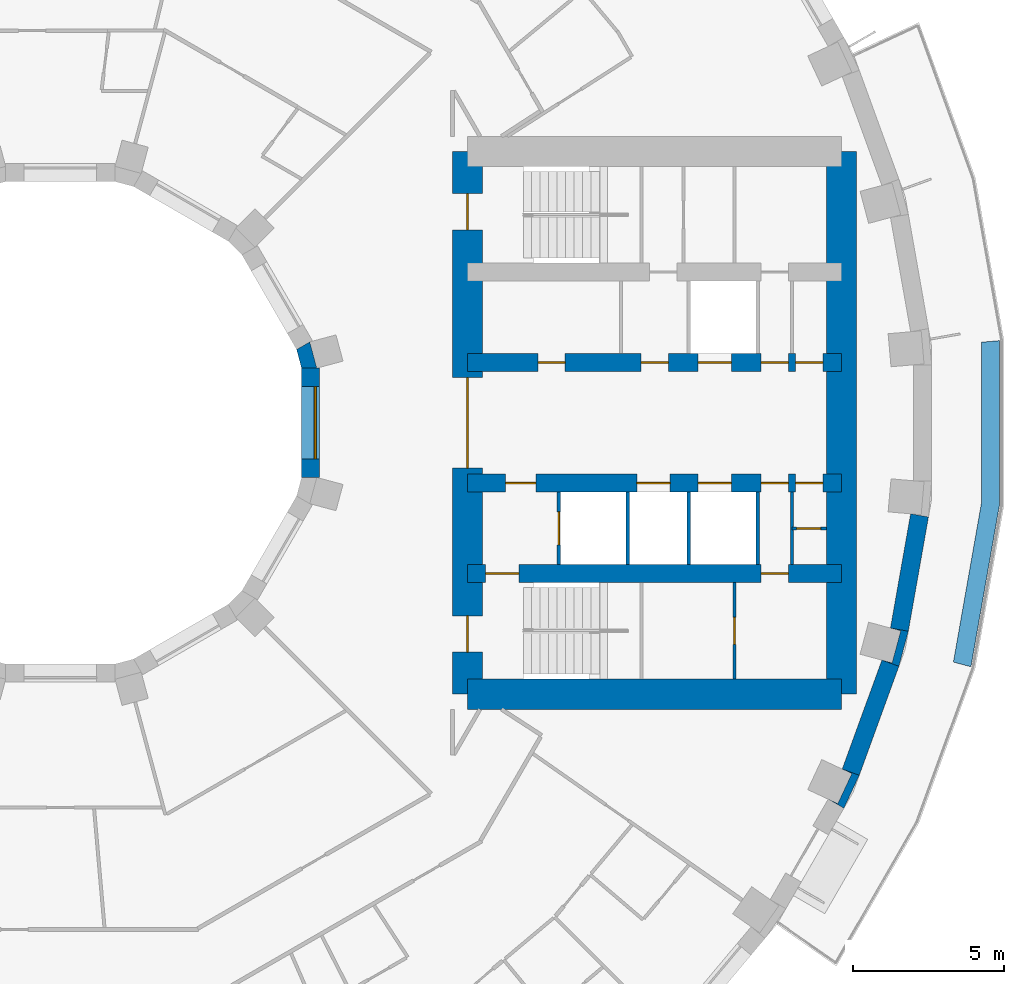
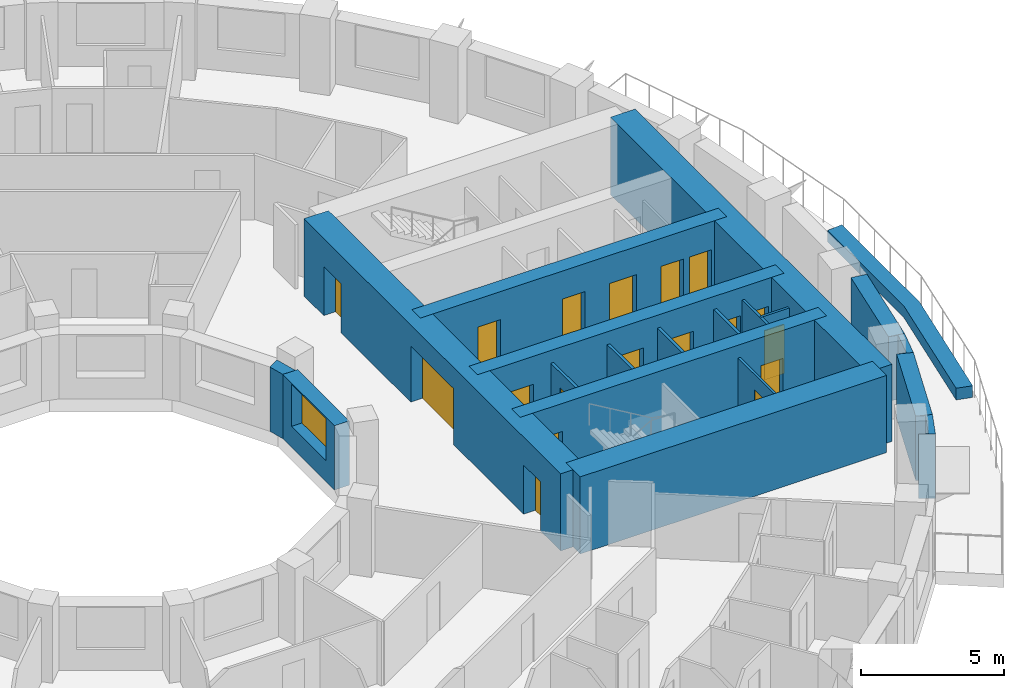
# One storey, part 7 of 14: 20 walls, 18 doors, 1 window, 19 openings.
"""IFC4 building model written with IfcOpenShell, lengths in metres."""

import ifcopenshell
import ifcopenshell.guid

model = None  # the IFC model being written
_history = None  # IfcOwnerHistory: only IFC2X3 demands one
_inside = {}  # id of a spatial element -> (the spatial element, [elements in it])
_under = {}  # id of a project, library or spatial element -> (it, [spatial elements below it])
_declared = {}  # id of a project -> (the project, [libraries it declares])
_typed = {}  # id of a type object -> (the type object, [elements of that type])
_made_of = {}  # id of a material, layer set ... -> (it, [elements and type objects made of it])


def new_model(schema):
    """Start an empty IFC model of exactly this schema.

    Asked for "IFC4X3", IfcOpenShell would pick the latest addendum, in which some entities
    have other attributes; the version numbers below select the first issue.
    IFC2X3 requires an IfcOwnerHistory on every rooted entity: one is made here for all.
    """
    global model, _history
    if schema == "IFC4X3":
        model = ifcopenshell.file(schema_version=(4, 3, 0, 0))
    else:
        model = ifcopenshell.file(schema=schema)
    _inside.clear()
    _under.clear()
    _declared.clear()
    _typed.clear()
    _made_of.clear()
    _history = None
    if model.schema == "IFC2X3":
        org = make("IfcOrganization", Name="unknown")
        user = make(
            "IfcPersonAndOrganization",
            ThePerson=make("IfcPerson", FamilyName="unknown"),
            TheOrganization=org,
        )
        app = make(
            "IfcApplication",
            ApplicationDeveloper=org,
            Version="unknown",
            ApplicationFullName="unknown",
            ApplicationIdentifier="unknown",
        )
        _history = make(
            "IfcOwnerHistory",
            OwningUser=user,
            OwningApplication=app,
            ChangeAction="ADDED",
            CreationDate=0,
        )
    return model


def make(cls, **values):
    """One entity of the class cls with the attributes given. An attribute that is None is left unset."""
    return model.create_entity(
        cls, **{name: value for name, value in values.items() if value is not None}
    )


def rooted(cls, **values):
    """An entity with a GlobalId (a new one), such as an element, a storey or a relation."""
    return make(cls, GlobalId=ifcopenshell.guid.new(), OwnerHistory=_history, **values)


def si_unit(unit_type, name, prefix=None):
    """IfcSIUnit, for example si_unit("LENGTHUNIT", "METRE", prefix="MILLI")."""
    return make("IfcSIUnit", UnitType=unit_type, Prefix=prefix, Name=name)


def assignment(units):
    """IfcUnitAssignment: the units of a project."""
    return None if units is None else make("IfcUnitAssignment", Units=units)


def point(xyz):
    """IfcCartesianPoint."""
    return None if xyz is None else make("IfcCartesianPoint", Coordinates=xyz)


def direction(xyz):
    """IfcDirection."""
    return None if xyz is None else make("IfcDirection", DirectionRatios=xyz)


def frame(location, z_axis=None, x_axis=None):
    """IfcAxis2Placement3D, a coordinate frame: its origin and axes. An axis left out is left unset."""
    return make(
        "IfcAxis2Placement3D",
        Location=point(location),
        Axis=direction(z_axis),
        RefDirection=direction(x_axis),
    )


def frame_2d(location, x_axis=None):
    """IfcAxis2Placement2D, a coordinate frame in the plane: its origin and x axis."""
    return make(
        "IfcAxis2Placement2D", Location=point(location), RefDirection=direction(x_axis)
    )


def origin():
    """The frame at (0, 0, 0) with its axes left unset."""
    return frame((0.0, 0.0, 0.0))


def place(relative_to, where):
    """IfcLocalPlacement: puts the frame where relative to a parent placement (None: the world)."""
    return make(
        "IfcLocalPlacement", PlacementRelTo=relative_to, RelativePlacement=where
    )


def context(
    kind, dimensions, precision=None, world=None, true_north=None, identifier=None
):
    """IfcGeometricRepresentationContext, for example the 3D "Model" context."""
    return make(
        "IfcGeometricRepresentationContext",
        ContextIdentifier=identifier,
        ContextType=kind,
        CoordinateSpaceDimension=dimensions,
        Precision=precision,
        WorldCoordinateSystem=world,
        TrueNorth=true_north,
    )


def subcontext(parent, identifier, kind, view, scale=None):
    """IfcGeometricRepresentationSubContext, for example "Body" below "Model"."""
    return make(
        "IfcGeometricRepresentationSubContext",
        ContextIdentifier=identifier,
        ContextType=kind,
        ParentContext=parent,
        TargetScale=scale,
        TargetView=view,
    )


def project(units=None, contexts=None):
    """IfcProject with its units and contexts."""
    return rooted(
        "IfcProject",
        Name="project",
        RepresentationContexts=contexts,
        UnitsInContext=assignment(units),
    )


def spatial(cls, under=None, at=None, **own):
    """A site, building, storey or space (cls), placed at a placement, below another one or the project."""
    s = rooted(cls, ObjectPlacement=at, **own)
    if under is not None:
        _under.setdefault(under.id(), (under, []))[1].append(s)
    return s


def polyline(points):
    """IfcPolyline through the points."""
    return make("IfcPolyline", Points=[point(p) for p in points])


def profile(cls, at=None, kind="AREA", **sizes):
    """A parametric profile (cls). Its sizes go by their IFC names, for example OverallWidth=200.0."""
    return make(cls, ProfileType=kind, Position=at, **sizes)


def rectangle(**sizes):
    """IfcRectangleProfileDef."""
    return profile("IfcRectangleProfileDef", **sizes)


def outline(outer, holes=None, kind="AREA"):
    """IfcArbitraryClosedProfileDef: a profile drawn as a closed curve; with holes, ...WithVoids."""
    if holes is None:
        return make("IfcArbitraryClosedProfileDef", ProfileType=kind, OuterCurve=outer)
    return make(
        "IfcArbitraryProfileDefWithVoids",
        ProfileType=kind,
        OuterCurve=outer,
        InnerCurves=holes,
    )


def extrude(swept, where, along, depth):
    """IfcExtrudedAreaSolid: the profile swept, set in the frame where, extruded along a direction by depth."""
    return make(
        "IfcExtrudedAreaSolid",
        SweptArea=swept,
        Position=where,
        ExtrudedDirection=direction(along),
        Depth=depth,
    )


def shape(context_of_items, identifier, shape_type, items):
    """IfcShapeRepresentation: the items that make up one representation, for example the "Body"."""
    return make(
        "IfcShapeRepresentation",
        ContextOfItems=context_of_items,
        RepresentationIdentifier=identifier,
        RepresentationType=shape_type,
        Items=items,
    )


def material(Name=None, Category=None):
    """IfcMaterial."""
    return make("IfcMaterial", Name=Name, Category=Category)


def layer(
    of_material, thickness, ventilated=None, Name=None, Category=None, Priority=None
):
    """IfcMaterialLayer: one layer of a wall or slab, of a material (None: an air gap)."""
    return make(
        "IfcMaterialLayer",
        Material=of_material,
        LayerThickness=thickness,
        IsVentilated=ventilated,
        Name=Name,
        Category=Category,
        Priority=Priority,
    )


def layer_set(layers, Name=None):
    """IfcMaterialLayerSet."""
    return make("IfcMaterialLayerSet", MaterialLayers=layers, LayerSetName=Name)


def made_of(thing, what):
    """Note that an element or type object is made of a material, layer set ...; save() writes the relation."""
    if what is not None:
        _made_of.setdefault(what.id(), (what, []))[1].append(thing)
    return thing


def type_object(cls, material=None, **own):
    """A type object (cls), such as IfcWallType, which elements share."""
    return made_of(rooted(cls, **own), material)


def element(
    cls,
    number,
    at=None,
    inside=None,
    cuts=None,
    type_object=None,
    material=None,
    context=None,
    identifier="Body",
    shape_type=None,
    held_by="IfcProductDefinitionShape",
    body=None,
    shapes=None,
    **own,
):
    """One element of the class cls, such as IfcWall. Its Tag is "e" and its number.

    at: its placement. inside: the storey or other place that contains it. cuts: it is an
    opening in that element (IfcRelVoidsElement). A single representation is given by context,
    identifier, shape_type and body (its items); several are given by shapes. held_by: the class
    of the entity that holds the representations. save() writes the other relations.
    """
    e = rooted(cls, Tag="e%d" % number, ObjectPlacement=at, **own)
    if body is not None:
        shapes = [shape(context, identifier, shape_type, body)]
    if shapes is not None:
        e.Representation = make(held_by, Representations=shapes)
    if inside is not None:
        _inside.setdefault(inside.id(), (inside, []))[1].append(e)
    if cuts is not None:
        rooted(
            "IfcRelVoidsElement", RelatingBuildingElement=cuts, RelatedOpeningElement=e
        )
    if type_object is not None:
        _typed.setdefault(type_object.id(), (type_object, []))[1].append(e)
    return made_of(e, material)


def fill(opening, filler):
    """IfcRelFillsElement: the door or window that sits in an opening."""
    return rooted(
        "IfcRelFillsElement",
        RelatingOpeningElement=opening,
        RelatedBuildingElement=filler,
    )


def aggregate(whole, parts):
    """IfcRelAggregates: a whole, such as a stair, and the parts it consists of."""
    return rooted("IfcRelAggregates", RelatingObject=whole, RelatedObjects=parts)


def save(model, path):
    """Write the relations noted so far, then the file.

    IfcRelAggregates (storeys below a building ...), IfcRelContainedInSpatialStructure (elements
    in a storey), IfcRelDefinesByType, IfcRelAssociatesMaterial and IfcRelDeclares: one each for
    every whole, place, type object, material and project.
    """
    for whole, parts in _under.values():
        aggregate(whole, parts)
    for where, things in _inside.values():
        rooted(
            "IfcRelContainedInSpatialStructure",
            RelatedElements=things,
            RelatingStructure=where,
        )
    for kind, things in _typed.values():
        rooted("IfcRelDefinesByType", RelatedObjects=things, RelatingType=kind)
    for what, things in _made_of.values():
        rooted("IfcRelAssociatesMaterial", RelatedObjects=things, RelatingMaterial=what)
    for by, libraries in _declared.values():
        rooted("IfcRelDeclares", RelatingContext=by, RelatedDefinitions=libraries)
    model.write(path)


model = new_model("IFC4")

# Units and contexts
model_context = context("Model", 3, precision=1e-05, world=origin(), true_north=direction((0.0, 1.0)))
body_context = subcontext(model_context, "Body", "Model", "MODEL_VIEW")
ifc_project = project(units=[si_unit("LENGTHUNIT", "METRE"), si_unit("AREAUNIT", "SQUARE_METRE"), si_unit("VOLUMEUNIT", "CUBIC_METRE"), si_unit("PLANEANGLEUNIT", "RADIAN"), si_unit("MASSUNIT", "GRAM", prefix="KILO")], contexts=[model_context])

# Site, building, storey
site_placement = place(None, origin())
site = spatial("IfcSite", under=ifc_project, at=site_placement, CompositionType="ELEMENT")
building_placement = place(site_placement, origin())
building = spatial("IfcBuilding", under=site, at=building_placement, Name="Saqina Gate Tower", CompositionType="ELEMENT")
storey_placement = place(building_placement, frame((0.0, 0.0, 52.699951171875)))
storey = spatial("IfcBuildingStorey", under=building, at=storey_placement, Name="L14", CompositionType="ELEMENT", Elevation=52.699951171875)

# Walls
ifc_material_1 = material(Name="Brick masonry (red)", Category="masonry")
wall_type_1 = type_object("IfcWallType", Name="BRICK PIER COPING RED", PredefinedType="SOLIDWALL", material=ifc_material_1)
wall_1_placement = place(storey_placement, origin())
element("IfcWall", 1, at=wall_1_placement, inside=storey, type_object=wall_type_1, Name="Pier cap L14 column 34", PredefinedType="SOLIDWALL", context=body_context, shape_type="SweptSolid", body=[
    extrude(outline(polyline([(26.48974609375, -11.687744140625), (25.92578125, -11.482666015625), (26.243408203125, -11.630615234375), (25.778564453125, -12.627685546875), (25.4609375, -12.4794921875), (25.980712890625, -12.779541015625), (26.48974609375, -11.687744140625)])), origin(), (0.0, 0.0, 1.0), 2.75),
])
wall_2_placement = place(storey_placement, origin())
element("IfcWall", 2, at=wall_2_placement, inside=storey, type_object=wall_type_1, Name="Pier cap L14 column 35", PredefinedType="SOLIDWALL", context=body_context, shape_type="SweptSolid", body=[
    extrude(outline(polyline([(28.11669921875, -6.910400390625), (27.52587890625, -6.80615234375), (27.864501953125, -6.896728515625), (27.57958984375, -7.95947265625), (27.2412109375, -7.86865234375), (27.80517578125, -8.073974609375), (28.11669921875, -6.910400390625)])), origin(), (0.0, 0.0, 1.0), 2.75),
])
ifc_material_2 = material(Name="Gypsum board on steel studs", Category="steel")
ifc_layer_1 = layer(ifc_material_2, 0.10009765625)
ifc_layer_set_1 = layer_set([ifc_layer_1], Name="CORE PARTITION")
wall_type_2 = type_object("IfcWallType", Name="CORE PARTITION", PredefinedType="PARTITIONING", material=ifc_layer_set_1)
wall_3_placement = place(storey_placement, frame((24.260009765625, -4.699951171875, 0.0), z_axis=(0.0, 0.0, 1.0), x_axis=(0.0, 1.0, 0.0)))
element("IfcWall", 3, at=wall_3_placement, inside=storey, type_object=wall_type_2, Name="L14-CP-E09", PredefinedType="PARTITIONING", context=body_context, shape_type="SweptSolid", body=[
    extrude(rectangle(XDim=2.39990234375, YDim=0.10009765625, at=frame_2d((1.199951171875, 0.0))), origin(), (0.0, 0.0, 1.0), 2.75),
])

# Wall, opening, door
wall_4_placement = place(storey_placement, frame((24.260009765625, -3.5, 0.0), z_axis=(0.0, 0.0, 1.0), x_axis=(1.0, 0.0, 0.0)))
wall_4 = element("IfcWall", 4, at=wall_4_placement, inside=storey, type_object=wall_type_2, Name="L14-CP-E10", PredefinedType="PARTITIONING", context=body_context, shape_type="SweptSolid", body=[
    extrude(rectangle(XDim=1.139892578125, YDim=0.10009765625, at=frame_2d((0.56982421875, 0.0))), origin(), (0.0, 0.0, 1.0), 2.75),
])
opening_1_placement = place(wall_4_placement, frame((0.14990234375, 0.0, 0.0)))
opening_1 = element("IfcOpeningElement", 5, at=opening_1_placement, cuts=wall_4, Name="Opening G03-D100", PredefinedType="OPENING", context=body_context, shape_type="SweptSolid", body=[
    extrude(rectangle(XDim=0.800048828125, YDim=2.10009765625, at=frame_2d((0.39990234375, 1.050048828125))), frame((0.0, 0.06201171875, 0.0), z_axis=(0.0, -1.0, 0.0), x_axis=(1.0, 0.0, 0.0)), (0.0, 0.0, 1.0), 0.1240234375),
])
ifc_material_3 = material(Name="Steel-framed fire door leaf, EI 60", Category="steel")
door_type_1 = type_object("IfcDoorType", Name="SERVICE ROOM DOOR 800", OperationType="SINGLE_SWING_LEFT", PredefinedType="DOOR", material=ifc_material_3)
door_1_placement = place(opening_1_placement, frame((0.800048828125, 0.0, 0.0), z_axis=(0.0, 0.0, 1.0), x_axis=(-1.0, 0.0, 0.0)))
door_1 = element("IfcDoor", 6, at=door_1_placement, inside=storey, type_object=door_type_1, Name="L14-CD-E11", OperationType="SINGLE_SWING_LEFT", OverallHeight=2.10009765625, OverallWidth=0.800048828125, PredefinedType="DOOR", context=body_context, shape_type="SweptSolid", body=[
    extrude(rectangle(XDim=0.800048828125, YDim=2.10009765625, at=frame_2d((0.39990234375, 1.050048828125))), frame((0.0, 0.02490234375, 0.0), z_axis=(0.0, -1.0, 0.0), x_axis=(1.0, 0.0, 0.0)), (0.0, 0.0, 1.0), 0.050048828125),
])
fill(opening_1, door_1)

wall_5_placement = place(storey_placement, frame((22.360107421875, -8.5, 0.0), z_axis=(0.0, 0.0, 1.0), x_axis=(0.0, 1.0, 0.0)))
wall_5 = element("IfcWall", 7, at=wall_5_placement, inside=storey, type_object=wall_type_2, Name="L14-CP-E15", PredefinedType="PARTITIONING", context=body_context, shape_type="SweptSolid", body=[
    extrude(rectangle(XDim=3.199951171875, YDim=0.10009765625, at=frame_2d((1.60009765625, 0.0))), origin(), (0.0, 0.0, 1.0), 2.75),
])
opening_2_placement = place(wall_5_placement, frame((1.14990234375, 0.0, 0.0)))
opening_2 = element("IfcOpeningElement", 8, at=opening_2_placement, cuts=wall_5, Name="Opening G03-D101", PredefinedType="OPENING", context=body_context, shape_type="SweptSolid", body=[
    extrude(rectangle(XDim=0.89990234375, YDim=2.10009765625, at=frame_2d((0.449951171875, 1.050048828125))), frame((0.0, 0.06201171875, 0.0), z_axis=(0.0, -1.0, 0.0), x_axis=(1.0, 0.0, 0.0)), (0.0, 0.0, 1.0), 0.1240234375),
])
ifc_material_4 = material(Name="Steel-framed fire door leaf, EI 60", Category="steel")
door_type_2 = type_object("IfcDoorType", Name="SERVICE ROOM DOOR 900", OperationType="SINGLE_SWING_LEFT", PredefinedType="DOOR", material=ifc_material_4)
door_2_placement = place(opening_2_placement, origin())
door_2 = element("IfcDoor", 9, at=door_2_placement, inside=storey, type_object=door_type_2, Name="L14-CD-E12", OperationType="SINGLE_SWING_LEFT", OverallHeight=2.10009765625, OverallWidth=0.89990234375, PredefinedType="DOOR", context=body_context, shape_type="SweptSolid", body=[
    extrude(rectangle(XDim=0.89990234375, YDim=2.10009765625, at=frame_2d((0.449951171875, 1.050048828125))), frame((0.0, 0.02490234375, 0.0), z_axis=(0.0, -1.0, 0.0), x_axis=(1.0, 0.0, 0.0)), (0.0, 0.0, 1.0), 0.050048828125),
])
fill(opening_2, door_2)

# Walls
ifc_material_5 = material(Name="Glazed ceramic tile", Category="ceramic")
ifc_layer_2 = layer(ifc_material_5, 0.60009765625)
ifc_layer_set_2 = layer_set([ifc_layer_2], Name="FW-TILE")
wall_type_3 = type_object("IfcWallType", Name="FW-TILE", PredefinedType="SOLIDWALL", material=ifc_layer_set_2)
wall_6_placement = place(storey_placement, frame((27.8212890625, -6.858154296875, 0.0), z_axis=(0.0, 0.0, 1.0), x_axis=(0.173687553279, 0.984800809218, 0.0)))
element("IfcWall", 10, at=wall_6_placement, inside=storey, type_object=wall_type_3, Name="Facade wall L14 facet 35", PredefinedType="SOLIDWALL", context=body_context, shape_type="SweptSolid", body=[
    extrude(rectangle(XDim=3.845703125, YDim=0.60009765625, at=frame_2d((1.9228515625, 0.0))), origin(), (0.0, 0.0, 1.0), 2.75),
])
ifc_material_6 = material(Name="Glazed ceramic tile (white)", Category="ceramic")
ifc_layer_3 = layer(ifc_material_6, 0.60009765625)
ifc_layer_set_3 = layer_set([ifc_layer_3], Name="FW-TILE-WH")
wall_type_4 = type_object("IfcWallType", Name="FW-TILE-WH", PredefinedType="SOLIDWALL", material=ifc_layer_set_3)
wall_7_placement = place(storey_placement, frame((26.207763671875, -11.585205078125, 0.0), z_axis=(0.0, 0.0, 1.0), x_axis=(0.342028474173, 0.939689588564, 0.0)))
element("IfcWall", 11, at=wall_7_placement, inside=storey, type_object=wall_type_4, Name="Facade wall L14 facet 34", PredefinedType="SOLIDWALL", context=body_context, shape_type="SweptSolid", body=[
    extrude(rectangle(XDim=3.845947265625, YDim=0.60009765625, at=frame_2d((1.9228515625, 0.0))), origin(), (0.0, 0.0, 1.0), 2.75),
])

# Wall, opening, window
ifc_material_7 = material(Name="Glazed ceramic tile", Category="ceramic")
ifc_layer_4 = layer(ifc_material_7, 0.60009765625)
ifc_layer_set_4 = layer_set([ifc_layer_4], Name="IW-TILE")
wall_type_5 = type_object("IfcWallType", Name="IW-TILE", PredefinedType="SOLIDWALL", material=ifc_layer_set_4)
wall_8_placement = place(storey_placement, frame((8.300048828125, -1.8125, 0.0), z_axis=(0.0, 0.0, 1.0), x_axis=(0.0, 1.0, 0.0)))
wall_8 = element("IfcWall", 12, at=wall_8_placement, inside=storey, type_object=wall_type_5, Name="Well wall L14 facet 12", PredefinedType="SOLIDWALL", context=body_context, shape_type="SweptSolid", body=[
    extrude(rectangle(XDim=3.625, YDim=0.60009765625, at=frame_2d((1.8125, 0.0))), origin(), (0.0, 0.0, 1.0), 2.75),
])
opening_3_placement = place(wall_8_placement, frame((0.612548828125, 0.0, 0.89990234375)))
opening_3 = element("IfcOpeningElement", 13, at=opening_3_placement, cuts=wall_8, Name="Opening G03-W37", PredefinedType="OPENING", context=body_context, shape_type="SweptSolid", body=[
    extrude(rectangle(XDim=2.39990234375, YDim=1.800048828125, at=frame_2d((1.199951171875, 0.89990234375))), frame((0.0, 0.31201171875, 0.0), z_axis=(0.0, -1.0, 0.0), x_axis=(1.0, 0.0, 0.0)), (0.0, 0.0, 1.0), 0.6240234375),
])
ifc_material_8 = material(Name="Aluminium glazing", Category="aluminium")
window_type = type_object("IfcWindowType", Name="WN-W", PartitioningType="SINGLE_PANEL", PredefinedType="WINDOW", material=ifc_material_8)
window_placement = place(opening_3_placement, origin())
window = element("IfcWindow", 14, at=window_placement, inside=storey, type_object=window_type, Name="Well window L14 facet 12", OverallHeight=1.800048828125, OverallWidth=2.39990234375, PartitioningType="SINGLE_PANEL", PredefinedType="WINDOW", context=body_context, shape_type="SweptSolid", body=[
    extrude(rectangle(XDim=2.39990234375, YDim=1.800048828125, at=frame_2d((1.199951171875, 0.89990234375))), frame((0.0, -0.119873046875, 0.0), z_axis=(0.0, -1.0, 0.0), x_axis=(1.0, 0.0, 0.0)), (0.0, 0.0, 1.0), 0.06005859375),
])
fill(opening_3, window)

# Wall
ifc_material_9 = material(Name="Brick masonry (red)", Category="masonry")
ifc_layer_5 = layer(ifc_material_9, 0.60009765625)
ifc_layer_set_5 = layer_set([ifc_layer_5], Name="PL-PLANTER")
wall_type_6 = type_object("IfcWallType", Name="PL-PLANTER", PredefinedType="PARAPET", material=ifc_layer_set_5)
wall_9_placement = place(storey_placement, origin())
element("IfcWall", 15, at=wall_9_placement, inside=storey, type_object=wall_type_6, Name="Planter L14", PredefinedType="PARAPET", context=body_context, shape_type="SweptSolid", body=[
    extrude(outline(polyline([(30.193603515625, -8.09033203125), (31.1396484375, -2.724365234375), (31.1396484375, 2.724365234375), (30.53955078125, 2.671875), (30.53955078125, -2.671875), (29.61181640625, -7.934326171875), (30.193603515625, -8.09033203125)])), origin(), (0.0, 0.0, 1.0), 0.5),
])

# Wall, opening, door
ifc_material_10 = material(Name="Autoclaved aerated concrete block", Category="concrete")
ifc_layer_6 = layer(ifc_material_10, 0.1201171875)
ifc_layer_set_6 = layer_set([ifc_layer_6], Name="SHAFT PARTITION")
wall_type_7 = type_object("IfcWallType", Name="SHAFT PARTITION", PredefinedType="PARTITIONING", material=ifc_layer_set_6)
wall_10_placement = place(storey_placement, frame((16.530029296875, -4.699951171875, 0.0), z_axis=(0.0, 0.0, 1.0), x_axis=(0.0, 1.0, 0.0)))
wall_10 = element("IfcWall", 16, at=wall_10_placement, inside=storey, type_object=wall_type_7, Name="L14-CP-E05", PredefinedType="PARTITIONING", context=body_context, shape_type="SweptSolid", body=[
    extrude(rectangle(XDim=2.39990234375, YDim=0.1201171875, at=frame_2d((1.199951171875, 0.0))), origin(), (0.0, 0.0, 1.0), 2.75),
])
opening_4_placement = place(wall_10_placement, frame((0.64990234375, 0.0, 0.0)))
opening_4 = element("IfcOpeningElement", 17, at=opening_4_placement, cuts=wall_10, Name="Opening G03-LD2", PredefinedType="OPENING", context=body_context, shape_type="SweptSolid", body=[
    extrude(rectangle(XDim=1.10009765625, YDim=2.10009765625, at=frame_2d((0.550048828125, 1.050048828125))), frame((0.0, 0.072021484375, 0.0), z_axis=(0.0, -1.0, 0.0), x_axis=(1.0, 0.0, 0.0)), (0.0, 0.0, 1.0), 0.14404296875),
])
ifc_material_11 = material(Name="Stainless steel", Category="steel")
door_type_3 = type_object("IfcDoorType", Name="LANDING DOOR", OperationType="DOUBLE_DOOR_SLIDING", PredefinedType="DOOR", material=ifc_material_11)
door_3_placement = place(opening_4_placement, origin())
door_3 = element("IfcDoor", 18, at=door_3_placement, inside=storey, type_object=door_type_3, Name="LANDING DOOR FF1", OperationType="DOUBLE_DOOR_SLIDING", OverallHeight=2.10009765625, OverallWidth=1.10009765625, PredefinedType="DOOR", context=body_context, shape_type="SweptSolid", body=[
    extrude(rectangle(XDim=1.10009765625, YDim=2.10009765625, at=frame_2d((0.550048828125, 1.050048828125))), frame((0.0, 0.02490234375, 0.0), z_axis=(0.0, -1.0, 0.0), x_axis=(1.0, 0.0, 0.0)), (0.0, 0.0, 1.0), 0.050048828125),
])
fill(opening_4, door_3)

# Walls
for number, where, z_axis, x_axis, name in (
    (19, (18.81005859375, -4.699951171875, 0.0), (0.0, 0.0, 1.0), (0.0, 1.0, 0.0), "L14-CP-E06"),
    (20, (20.840087890625, -4.699951171875, 0.0), (0.0, 0.0, 1.0), (0.0, 1.0, 0.0), "L14-CP-E07"),
    (21, (23.1201171875, -4.699951171875, 0.0), (0.0, 0.0, 1.0), (0.0, 1.0, 0.0), "L14-CP-E08"),
):
    element("IfcWall", number, at=place(storey_placement, frame(where, z_axis=z_axis, x_axis=x_axis)), inside=storey, type_object=wall_type_7, Name=name, PredefinedType="PARTITIONING", context=body_context, shape_type="SweptSolid", body=[
        extrude(rectangle(XDim=2.39990234375, YDim=0.1201171875, at=frame_2d((1.199951171875, 0.0))), origin(), (0.0, 0.0, 1.0), 2.75),
    ])

# Wall, openings, doors
ifc_material_12 = material(Name="Concrete C70/85", Category="concrete")
ifc_layer_7 = layer(ifc_material_12, 0.60009765625)
ifc_layer_set_7 = layer_set([ifc_layer_7], Name="Concrete C70/85")
wall_type_8 = type_object("IfcWallType", Name="STR-CORE WALL-A-I", PredefinedType="SHEAR", material=ifc_layer_set_7)
wall_11_placement = place(storey_placement, frame((13.5, -5.0, 0.0), z_axis=(0.0, 0.0, 1.0), x_axis=(1.0, 0.0, 0.0)))
wall_11 = element("IfcWall", 22, at=wall_11_placement, inside=storey, type_object=wall_type_8, Name="CORE WALL L14 E-X2", PredefinedType="SHEAR", context=body_context, shape_type="SweptSolid", body=[
    extrude(rectangle(XDim=12.39990234375, YDim=0.60009765625, at=frame_2d((6.199951171875, 0.0))), origin(), (0.0, 0.0, 1.0), 3.300048828125),
])
opening_5_placement = place(wall_11_placement, frame((9.739990234375, 0.0, 0.0)))
opening_5 = element("IfcOpeningElement", 23, at=opening_5_placement, cuts=wall_11, Name="Opening G03-D102", PredefinedType="OPENING", context=body_context, shape_type="SweptSolid", body=[
    extrude(rectangle(XDim=0.89990234375, YDim=2.10009765625, at=frame_2d((0.449951171875, 1.050048828125))), frame((0.0, 0.31201171875, 0.0), z_axis=(0.0, -1.0, 0.0), x_axis=(1.0, 0.0, 0.0)), (0.0, 0.0, 1.0), 0.6240234375),
])
opening_6_placement = place(wall_11_placement, frame((0.60009765625, 0.0, 0.0)))
opening_6 = element("IfcOpeningElement", 24, at=opening_6_placement, cuts=wall_11, Name="Opening G03-D103", PredefinedType="OPENING", context=body_context, shape_type="SweptSolid", body=[
    extrude(rectangle(XDim=1.10009765625, YDim=2.10009765625, at=frame_2d((0.550048828125, 1.050048828125))), frame((0.0, 0.31201171875, 0.0), z_axis=(0.0, -1.0, 0.0), x_axis=(1.0, 0.0, 0.0)), (0.0, 0.0, 1.0), 0.6240234375),
])
ifc_material_13 = material(Name="Steel", Category="steel")
door_type_4 = type_object("IfcDoorType", Name="FIRE LOBBY DOOR EI 60 WIDE", OperationType="SINGLE_SWING_LEFT", PredefinedType="DOOR", material=ifc_material_13)
door_4_placement = place(opening_6_placement, frame((1.10009765625, 0.0, 0.0), z_axis=(0.0, 0.0, 1.0), x_axis=(-1.0, 0.0, 0.0)))
door_4 = element("IfcDoor", 25, at=door_4_placement, inside=storey, type_object=door_type_4, Name="L14-CD-E14", OperationType="SINGLE_SWING_RIGHT", OverallHeight=2.10009765625, OverallWidth=1.10009765625, PredefinedType="DOOR", context=body_context, shape_type="SweptSolid", body=[
    extrude(rectangle(XDim=1.10009765625, YDim=2.10009765625, at=frame_2d((0.550048828125, 1.050048828125))), frame((0.0, 0.02490234375, 0.0), z_axis=(0.0, -1.0, 0.0), x_axis=(1.0, 0.0, 0.0)), (0.0, 0.0, 1.0), 0.050048828125),
])
fill(opening_6, door_4)
door_5_placement = place(opening_5_placement, frame((0.89990234375, 0.0, 0.0), z_axis=(0.0, 0.0, 1.0), x_axis=(-1.0, 0.0, 0.0)))
door_5 = element("IfcDoor", 26, at=door_5_placement, inside=storey, type_object=door_type_2, Name="L14-CD-E13", OperationType="SINGLE_SWING_LEFT", OverallHeight=2.10009765625, OverallWidth=0.89990234375, PredefinedType="DOOR", context=body_context, shape_type="SweptSolid", body=[
    extrude(rectangle(XDim=0.89990234375, YDim=2.10009765625, at=frame_2d((0.449951171875, 1.050048828125))), frame((0.0, 0.02490234375, 0.0), z_axis=(0.0, -1.0, 0.0), x_axis=(1.0, 0.0, 0.0)), (0.0, 0.0, 1.0), 0.050048828125),
])
fill(opening_5, door_5)

wall_12_placement = place(storey_placement, frame((13.5, 2.0, 0.0), z_axis=(0.0, 0.0, 1.0), x_axis=(1.0, 0.0, 0.0)))
wall_12 = element("IfcWall", 27, at=wall_12_placement, inside=storey, type_object=wall_type_8, Name="CORE WALL L14 E-L1", PredefinedType="SHEAR", context=body_context, shape_type="SweptSolid", body=[
    extrude(rectangle(XDim=12.39990234375, YDim=0.60009765625, at=frame_2d((6.199951171875, 0.0))), origin(), (0.0, 0.0, 1.0), 3.300048828125),
])
opening_7_placement = place(wall_12_placement, frame((7.64990234375, 0.0, 0.0)))
opening_7 = element("IfcOpeningElement", 28, at=opening_7_placement, cuts=wall_12, Name="Opening G03-LD1", PredefinedType="OPENING", context=body_context, shape_type="SweptSolid", body=[
    extrude(rectangle(XDim=1.10009765625, YDim=2.10009765625, at=frame_2d((0.550048828125, 1.050048828125))), frame((0.0, 0.31201171875, 0.0), z_axis=(0.0, -1.0, 0.0), x_axis=(1.0, 0.0, 0.0)), (0.0, 0.0, 1.0), 0.6240234375),
])
opening_8_placement = place(wall_12_placement, frame((2.34130859375, 0.0, 0.0)))
opening_8 = element("IfcOpeningElement", 29, at=opening_8_placement, cuts=wall_12, Name="Opening G03-D90", PredefinedType="OPENING", context=body_context, shape_type="SweptSolid", body=[
    extrude(rectangle(XDim=0.89990234375, YDim=2.10009765625, at=frame_2d((0.449951171875, 1.050048828125))), frame((0.0, 0.31201171875, 0.0), z_axis=(0.0, -1.0, 0.0), x_axis=(1.0, 0.0, 0.0)), (0.0, 0.0, 1.0), 0.6240234375),
])
opening_9_placement = place(wall_12_placement, frame((5.761474609375, 0.0, 0.0)))
opening_9 = element("IfcOpeningElement", 30, at=opening_9_placement, cuts=wall_12, Name="Opening G03-D91", PredefinedType="OPENING", context=body_context, shape_type="SweptSolid", body=[
    extrude(rectangle(XDim=0.89990234375, YDim=2.10009765625, at=frame_2d((0.449951171875, 1.050048828125))), frame((0.0, 0.31201171875, 0.0), z_axis=(0.0, -1.0, 0.0), x_axis=(1.0, 0.0, 0.0)), (0.0, 0.0, 1.0), 0.6240234375),
])
opening_10_placement = place(wall_12_placement, frame((9.739990234375, 0.0, 0.0)))
opening_10 = element("IfcOpeningElement", 31, at=opening_10_placement, cuts=wall_12, Name="Opening G03-D92", PredefinedType="OPENING", context=body_context, shape_type="SweptSolid", body=[
    extrude(rectangle(XDim=0.89990234375, YDim=2.10009765625, at=frame_2d((0.449951171875, 1.050048828125))), frame((0.0, 0.31201171875, 0.0), z_axis=(0.0, -1.0, 0.0), x_axis=(1.0, 0.0, 0.0)), (0.0, 0.0, 1.0), 0.6240234375),
])
opening_11_placement = place(wall_12_placement, frame((10.8798828125, 0.0, 0.0)))
opening_11 = element("IfcOpeningElement", 32, at=opening_11_placement, cuts=wall_12, Name="Opening G03-D93", PredefinedType="OPENING", context=body_context, shape_type="SweptSolid", body=[
    extrude(rectangle(XDim=0.89990234375, YDim=2.10009765625, at=frame_2d((0.449951171875, 1.050048828125))), frame((0.0, 0.31201171875, 0.0), z_axis=(0.0, -1.0, 0.0), x_axis=(1.0, 0.0, 0.0)), (0.0, 0.0, 1.0), 0.6240234375),
])
door_6_placement = place(opening_7_placement, origin())
door_6 = element("IfcDoor", 33, at=door_6_placement, inside=storey, type_object=door_type_3, Name="LANDING DOOR LR1", OperationType="DOUBLE_DOOR_SLIDING", OverallHeight=2.10009765625, OverallWidth=1.10009765625, PredefinedType="DOOR", context=body_context, shape_type="SweptSolid", body=[
    extrude(rectangle(XDim=1.10009765625, YDim=2.10009765625, at=frame_2d((0.550048828125, 1.050048828125))), frame((0.0, 0.02490234375, 0.0), z_axis=(0.0, -1.0, 0.0), x_axis=(1.0, 0.0, 0.0)), (0.0, 0.0, 1.0), 0.050048828125),
])
fill(opening_7, door_6)
door_7_placement = place(opening_8_placement, origin())
door_7 = element("IfcDoor", 34, at=door_7_placement, inside=storey, type_object=door_type_2, Name="L14-CD-E01", OperationType="SINGLE_SWING_LEFT", OverallHeight=2.10009765625, OverallWidth=0.89990234375, PredefinedType="DOOR", context=body_context, shape_type="SweptSolid", body=[
    extrude(rectangle(XDim=0.89990234375, YDim=2.10009765625, at=frame_2d((0.449951171875, 1.050048828125))), frame((0.0, 0.02490234375, 0.0), z_axis=(0.0, -1.0, 0.0), x_axis=(1.0, 0.0, 0.0)), (0.0, 0.0, 1.0), 0.050048828125),
])
fill(opening_8, door_7)
door_8_placement = place(opening_9_placement, origin())
door_8 = element("IfcDoor", 35, at=door_8_placement, inside=storey, type_object=door_type_2, Name="L14-CD-E02", OperationType="SINGLE_SWING_RIGHT", OverallHeight=2.10009765625, OverallWidth=0.89990234375, PredefinedType="DOOR", context=body_context, shape_type="SweptSolid", body=[
    extrude(rectangle(XDim=0.89990234375, YDim=2.10009765625, at=frame_2d((0.449951171875, 1.050048828125))), frame((0.0, 0.02490234375, 0.0), z_axis=(0.0, -1.0, 0.0), x_axis=(1.0, 0.0, 0.0)), (0.0, 0.0, 1.0), 0.050048828125),
])
fill(opening_9, door_8)
door_9_placement = place(opening_10_placement, origin())
door_9 = element("IfcDoor", 36, at=door_9_placement, inside=storey, type_object=door_type_2, Name="L14-CD-E03", OperationType="SINGLE_SWING_LEFT", OverallHeight=2.10009765625, OverallWidth=0.89990234375, PredefinedType="DOOR", context=body_context, shape_type="SweptSolid", body=[
    extrude(rectangle(XDim=0.89990234375, YDim=2.10009765625, at=frame_2d((0.449951171875, 1.050048828125))), frame((0.0, 0.02490234375, 0.0), z_axis=(0.0, -1.0, 0.0), x_axis=(1.0, 0.0, 0.0)), (0.0, 0.0, 1.0), 0.050048828125),
])
fill(opening_10, door_9)
door_10_placement = place(opening_11_placement, origin())
door_10 = element("IfcDoor", 37, at=door_10_placement, inside=storey, type_object=door_type_2, Name="L14-CD-E04", OperationType="SINGLE_SWING_RIGHT", OverallHeight=2.10009765625, OverallWidth=0.89990234375, PredefinedType="DOOR", context=body_context, shape_type="SweptSolid", body=[
    extrude(rectangle(XDim=0.89990234375, YDim=2.10009765625, at=frame_2d((0.449951171875, 1.050048828125))), frame((0.0, 0.02490234375, 0.0), z_axis=(0.0, -1.0, 0.0), x_axis=(1.0, 0.0, 0.0)), (0.0, 0.0, 1.0), 0.050048828125),
])
fill(opening_11, door_10)

wall_13_placement = place(storey_placement, frame((13.5, -2.0, 0.0), z_axis=(0.0, 0.0, 1.0), x_axis=(1.0, 0.0, 0.0)))
wall_13 = element("IfcWall", 38, at=wall_13_placement, inside=storey, type_object=wall_type_8, Name="CORE WALL L14 E-L2", PredefinedType="SHEAR", context=body_context, shape_type="SweptSolid", body=[
    extrude(rectangle(XDim=12.39990234375, YDim=0.60009765625, at=frame_2d((6.199951171875, 0.0))), origin(), (0.0, 0.0, 1.0), 3.300048828125),
])
opening_12_placement = place(wall_13_placement, frame((5.6201171875, 0.0, 0.0)))
opening_12 = element("IfcOpeningElement", 39, at=opening_12_placement, cuts=wall_13, Name="Opening G03-LD3", PredefinedType="OPENING", context=body_context, shape_type="SweptSolid", body=[
    extrude(rectangle(XDim=1.10009765625, YDim=2.10009765625, at=frame_2d((0.550048828125, 1.050048828125))), frame((0.0, 0.31201171875, 0.0), z_axis=(0.0, -1.0, 0.0), x_axis=(1.0, 0.0, 0.0)), (0.0, 0.0, 1.0), 0.6240234375),
])
opening_13_placement = place(wall_13_placement, frame((7.64990234375, 0.0, 0.0)))
opening_13 = element("IfcOpeningElement", 40, at=opening_13_placement, cuts=wall_13, Name="Opening G03-LD4", PredefinedType="OPENING", context=body_context, shape_type="SweptSolid", body=[
    extrude(rectangle(XDim=1.10009765625, YDim=2.10009765625, at=frame_2d((0.550048828125, 1.050048828125))), frame((0.0, 0.31201171875, 0.0), z_axis=(0.0, -1.0, 0.0), x_axis=(1.0, 0.0, 0.0)), (0.0, 0.0, 1.0), 0.6240234375),
])
opening_14_placement = place(wall_13_placement, frame((1.264892578125, 0.0, 0.0)))
opening_14 = element("IfcOpeningElement", 41, at=opening_14_placement, cuts=wall_13, Name="Opening G03-D94", PredefinedType="OPENING", context=body_context, shape_type="SweptSolid", body=[
    extrude(rectangle(XDim=1.0, YDim=2.10009765625, at=frame_2d((0.5, 1.050048828125))), frame((0.0, 0.31201171875, 0.0), z_axis=(0.0, -1.0, 0.0), x_axis=(1.0, 0.0, 0.0)), (0.0, 0.0, 1.0), 0.6240234375),
])
opening_15_placement = place(wall_13_placement, frame((9.739990234375, 0.0, 0.0)))
opening_15 = element("IfcOpeningElement", 42, at=opening_15_placement, cuts=wall_13, Name="Opening G03-D95", PredefinedType="OPENING", context=body_context, shape_type="SweptSolid", body=[
    extrude(rectangle(XDim=0.89990234375, YDim=2.10009765625, at=frame_2d((0.449951171875, 1.050048828125))), frame((0.0, 0.31201171875, 0.0), z_axis=(0.0, -1.0, 0.0), x_axis=(1.0, 0.0, 0.0)), (0.0, 0.0, 1.0), 0.6240234375),
])
opening_16_placement = place(wall_13_placement, frame((10.8798828125, 0.0, 0.0)))
opening_16 = element("IfcOpeningElement", 43, at=opening_16_placement, cuts=wall_13, Name="Opening G03-D96", PredefinedType="OPENING", context=body_context, shape_type="SweptSolid", body=[
    extrude(rectangle(XDim=0.89990234375, YDim=2.10009765625, at=frame_2d((0.449951171875, 1.050048828125))), frame((0.0, 0.31201171875, 0.0), z_axis=(0.0, -1.0, 0.0), x_axis=(1.0, 0.0, 0.0)), (0.0, 0.0, 1.0), 0.6240234375),
])
ifc_material_14 = material(Name="Steel", Category="steel")
door_type_5 = type_object("IfcDoorType", Name="FIRE LOBBY DOOR EI 60", OperationType="SINGLE_SWING_LEFT", PredefinedType="DOOR", material=ifc_material_14)
door_11_placement = place(opening_14_placement, origin())
door_11 = element("IfcDoor", 44, at=door_11_placement, inside=storey, type_object=door_type_5, Name="L14-CD-E05", OperationType="SINGLE_SWING_LEFT", OverallHeight=2.10009765625, OverallWidth=1.0, PredefinedType="DOOR", context=body_context, shape_type="SweptSolid", body=[
    extrude(rectangle(XDim=1.0, YDim=2.10009765625, at=frame_2d((0.5, 1.050048828125))), frame((0.0, 0.02490234375, 0.0), z_axis=(0.0, -1.0, 0.0), x_axis=(1.0, 0.0, 0.0)), (0.0, 0.0, 1.0), 0.050048828125),
])
fill(opening_14, door_11)
door_12_placement = place(opening_12_placement, origin())
door_12 = element("IfcDoor", 45, at=door_12_placement, inside=storey, type_object=door_type_3, Name="LANDING DOOR LR3", OperationType="DOUBLE_DOOR_SLIDING", OverallHeight=2.10009765625, OverallWidth=1.10009765625, PredefinedType="DOOR", context=body_context, shape_type="SweptSolid", body=[
    extrude(rectangle(XDim=1.10009765625, YDim=2.10009765625, at=frame_2d((0.550048828125, 1.050048828125))), frame((0.0, 0.02490234375, 0.0), z_axis=(0.0, -1.0, 0.0), x_axis=(1.0, 0.0, 0.0)), (0.0, 0.0, 1.0), 0.050048828125),
])
fill(opening_12, door_12)
door_13_placement = place(opening_13_placement, origin())
door_13 = element("IfcDoor", 46, at=door_13_placement, inside=storey, type_object=door_type_3, Name="LANDING DOOR LR2", OperationType="DOUBLE_DOOR_SLIDING", OverallHeight=2.10009765625, OverallWidth=1.10009765625, PredefinedType="DOOR", context=body_context, shape_type="SweptSolid", body=[
    extrude(rectangle(XDim=1.10009765625, YDim=2.10009765625, at=frame_2d((0.550048828125, 1.050048828125))), frame((0.0, 0.02490234375, 0.0), z_axis=(0.0, -1.0, 0.0), x_axis=(1.0, 0.0, 0.0)), (0.0, 0.0, 1.0), 0.050048828125),
])
fill(opening_13, door_13)
door_14_placement = place(opening_15_placement, frame((0.89990234375, 0.0, 0.0), z_axis=(0.0, 0.0, 1.0), x_axis=(-1.0, 0.0, 0.0)))
door_14 = element("IfcDoor", 47, at=door_14_placement, inside=storey, type_object=door_type_2, Name="L14-CD-E06", OperationType="SINGLE_SWING_RIGHT", OverallHeight=2.10009765625, OverallWidth=0.89990234375, PredefinedType="DOOR", context=body_context, shape_type="SweptSolid", body=[
    extrude(rectangle(XDim=0.89990234375, YDim=2.10009765625, at=frame_2d((0.449951171875, 1.050048828125))), frame((0.0, 0.02490234375, 0.0), z_axis=(0.0, -1.0, 0.0), x_axis=(1.0, 0.0, 0.0)), (0.0, 0.0, 1.0), 0.050048828125),
])
fill(opening_15, door_14)
door_15_placement = place(opening_16_placement, frame((0.89990234375, 0.0, 0.0), z_axis=(0.0, 0.0, 1.0), x_axis=(-1.0, 0.0, 0.0)))
door_15 = element("IfcDoor", 48, at=door_15_placement, inside=storey, type_object=door_type_2, Name="L14-CD-E07", OperationType="SINGLE_SWING_LEFT", OverallHeight=2.10009765625, OverallWidth=0.89990234375, PredefinedType="DOOR", context=body_context, shape_type="SweptSolid", body=[
    extrude(rectangle(XDim=0.89990234375, YDim=2.10009765625, at=frame_2d((0.449951171875, 1.050048828125))), frame((0.0, 0.02490234375, 0.0), z_axis=(0.0, -1.0, 0.0), x_axis=(1.0, 0.0, 0.0)), (0.0, 0.0, 1.0), 0.050048828125),
])
fill(opening_16, door_15)

ifc_material_15 = material(Name="Concrete C70/85", Category="concrete")
ifc_layer_8 = layer(ifc_material_15, 1.0)
ifc_layer_set_8 = layer_set([ifc_layer_8], Name="Concrete C70/85")
wall_type_9 = type_object("IfcWallType", Name="STR-CORE WALL-A-O", PredefinedType="SHEAR", material=ifc_layer_set_8)
wall_14_placement = place(storey_placement, frame((13.5, -9.0, 0.0), z_axis=(0.0, 0.0, 1.0), x_axis=(0.0, 1.0, 0.0)))
wall_14 = element("IfcWall", 49, at=wall_14_placement, inside=storey, type_object=wall_type_9, Name="CORE WALL L14 E-W1", PredefinedType="SHEAR", context=body_context, shape_type="SweptSolid", body=[
    extrude(rectangle(XDim=18.0, YDim=1.0, at=frame_2d((9.0, 0.0))), origin(), (0.0, 0.0, 1.0), 3.300048828125),
])
opening_17_placement = place(wall_14_placement, frame((15.39990234375, 0.0, 0.0)))
opening_17 = element("IfcOpeningElement", 50, at=opening_17_placement, cuts=wall_14, Name="Opening G03-D104", PredefinedType="OPENING", context=body_context, shape_type="SweptSolid", body=[
    extrude(rectangle(XDim=1.199951171875, YDim=2.10009765625, at=frame_2d((0.60009765625, 1.050048828125))), frame((0.0, 0.511962890625, 0.0), z_axis=(0.0, -1.0, 0.0), x_axis=(1.0, 0.0, 0.0)), (0.0, 0.0, 1.0), 1.02392578125),
])
opening_18_placement = place(wall_14_placement, frame((1.39990234375, 0.0, 0.0)))
opening_18 = element("IfcOpeningElement", 51, at=opening_18_placement, cuts=wall_14, Name="Opening G03-D105", PredefinedType="OPENING", context=body_context, shape_type="SweptSolid", body=[
    extrude(rectangle(XDim=1.199951171875, YDim=2.10009765625, at=frame_2d((0.60009765625, 1.050048828125))), frame((0.0, 0.511962890625, 0.0), z_axis=(0.0, -1.0, 0.0), x_axis=(1.0, 0.0, 0.0)), (0.0, 0.0, 1.0), 1.02392578125),
])
opening_19_placement = place(wall_14_placement, frame((7.5, 0.0, 0.0)))
opening_19 = element("IfcOpeningElement", 52, at=opening_19_placement, cuts=wall_14, Name="Opening G03-D106", PredefinedType="OPENING", context=body_context, shape_type="SweptSolid", body=[
    extrude(rectangle(XDim=3.0, YDim=2.39990234375, at=frame_2d((1.5, 1.199951171875))), frame((0.0, 0.511962890625, 0.0), z_axis=(0.0, -1.0, 0.0), x_axis=(1.0, 0.0, 0.0)), (0.0, 0.0, 1.0), 1.02392578125),
])
ifc_material_16 = material(Name="Steel", Category="steel")
door_type_6 = type_object("IfcDoorType", Name="FIRE DOOR EI 60", OperationType="SINGLE_SWING_LEFT", PredefinedType="DOOR", material=ifc_material_16)
door_16_placement = place(opening_17_placement, frame((1.199951171875, 0.0, 0.0), z_axis=(0.0, 0.0, 1.0), x_axis=(-1.0, 0.0, 0.0)))
door_16 = element("IfcDoor", 53, at=door_16_placement, inside=storey, type_object=door_type_6, Name="L14-CD-E15", OperationType="SINGLE_SWING_LEFT", OverallHeight=2.10009765625, OverallWidth=1.199951171875, PredefinedType="DOOR", context=body_context, shape_type="SweptSolid", body=[
    extrude(rectangle(XDim=1.199951171875, YDim=2.10009765625, at=frame_2d((0.60009765625, 1.050048828125))), frame((0.0, 0.02490234375, 0.0), z_axis=(0.0, -1.0, 0.0), x_axis=(1.0, 0.0, 0.0)), (0.0, 0.0, 1.0), 0.050048828125),
])
fill(opening_17, door_16)
door_17_placement = place(opening_18_placement, frame((1.199951171875, 0.0, 0.0), z_axis=(0.0, 0.0, 1.0), x_axis=(-1.0, 0.0, 0.0)))
door_17 = element("IfcDoor", 54, at=door_17_placement, inside=storey, type_object=door_type_6, Name="L14-CD-E16", OperationType="SINGLE_SWING_RIGHT", OverallHeight=2.10009765625, OverallWidth=1.199951171875, PredefinedType="DOOR", context=body_context, shape_type="SweptSolid", body=[
    extrude(rectangle(XDim=1.199951171875, YDim=2.10009765625, at=frame_2d((0.60009765625, 1.050048828125))), frame((0.0, 0.02490234375, 0.0), z_axis=(0.0, -1.0, 0.0), x_axis=(1.0, 0.0, 0.0)), (0.0, 0.0, 1.0), 0.050048828125),
])
fill(opening_18, door_17)
ifc_material_17 = material(Name="Steel and fire-resisting glass", Category="steel")
door_type_7 = type_object("IfcDoorType", Name="LOBBY SCREEN DOOR", OperationType="DOUBLE_DOOR_SLIDING", PredefinedType="DOOR", material=ifc_material_17)
door_18_placement = place(opening_19_placement, origin())
door_18 = element("IfcDoor", 55, at=door_18_placement, inside=storey, type_object=door_type_7, Name="L14-CD-E17", OperationType="DOUBLE_DOOR_SLIDING", OverallHeight=2.39990234375, OverallWidth=3.0, PredefinedType="DOOR", context=body_context, shape_type="SweptSolid", body=[
    extrude(rectangle(XDim=3.0, YDim=2.39990234375, at=frame_2d((1.5, 1.199951171875))), frame((0.0, 0.02490234375, 0.0), z_axis=(0.0, -1.0, 0.0), x_axis=(1.0, 0.0, 0.0)), (0.0, 0.0, 1.0), 0.050048828125),
])
fill(opening_19, door_18)

# Walls
wall_15_placement = place(storey_placement, frame((25.89990234375, -9.0, 0.0), z_axis=(0.0, 0.0, 1.0), x_axis=(0.0, 1.0, 0.0)))
element("IfcWall", 56, at=wall_15_placement, inside=storey, type_object=wall_type_9, Name="CORE WALL L14 E-W2", PredefinedType="SHEAR", context=body_context, shape_type="SweptSolid", body=[
    extrude(rectangle(XDim=18.0, YDim=1.0, at=frame_2d((9.0, 0.0))), origin(), (0.0, 0.0, 1.0), 3.300048828125),
])
wall_16_placement = place(storey_placement, frame((13.5, -9.0, 0.0), z_axis=(0.0, 0.0, 1.0), x_axis=(1.0, 0.0, 0.0)))
element("IfcWall", 57, at=wall_16_placement, inside=storey, type_object=wall_type_9, Name="CORE WALL L14 E-SE", PredefinedType="SHEAR", context=body_context, shape_type="SweptSolid", body=[
    extrude(rectangle(XDim=12.39990234375, YDim=1.0, at=frame_2d((6.199951171875, 0.0))), origin(), (0.0, 0.0, 1.0), 3.300048828125),
])
ifc_material_18 = material(Name="Glazed ceramic tile", Category="ceramic")
wall_type_10 = type_object("IfcWallType", Name="TILE PIER COPING", PredefinedType="SOLIDWALL", material=ifc_material_18)
wall_17_placement = place(storey_placement, origin())
element("IfcWall", 58, at=wall_17_placement, inside=storey, type_object=wall_type_10, Name="Well pier cap L14 column 1", PredefinedType="SOLIDWALL", context=body_context, shape_type="SweptSolid", body=[
    extrude(outline(polyline([(8.27001953125, 2.681884765625), (7.83447265625, 2.430419921875), (8.0, 1.8125), (8.502685546875, 1.8125), (8.27001953125, 2.681884765625)])), origin(), (0.0, 0.0, 1.0), 2.75),
])

save(model, "model.ifc")
